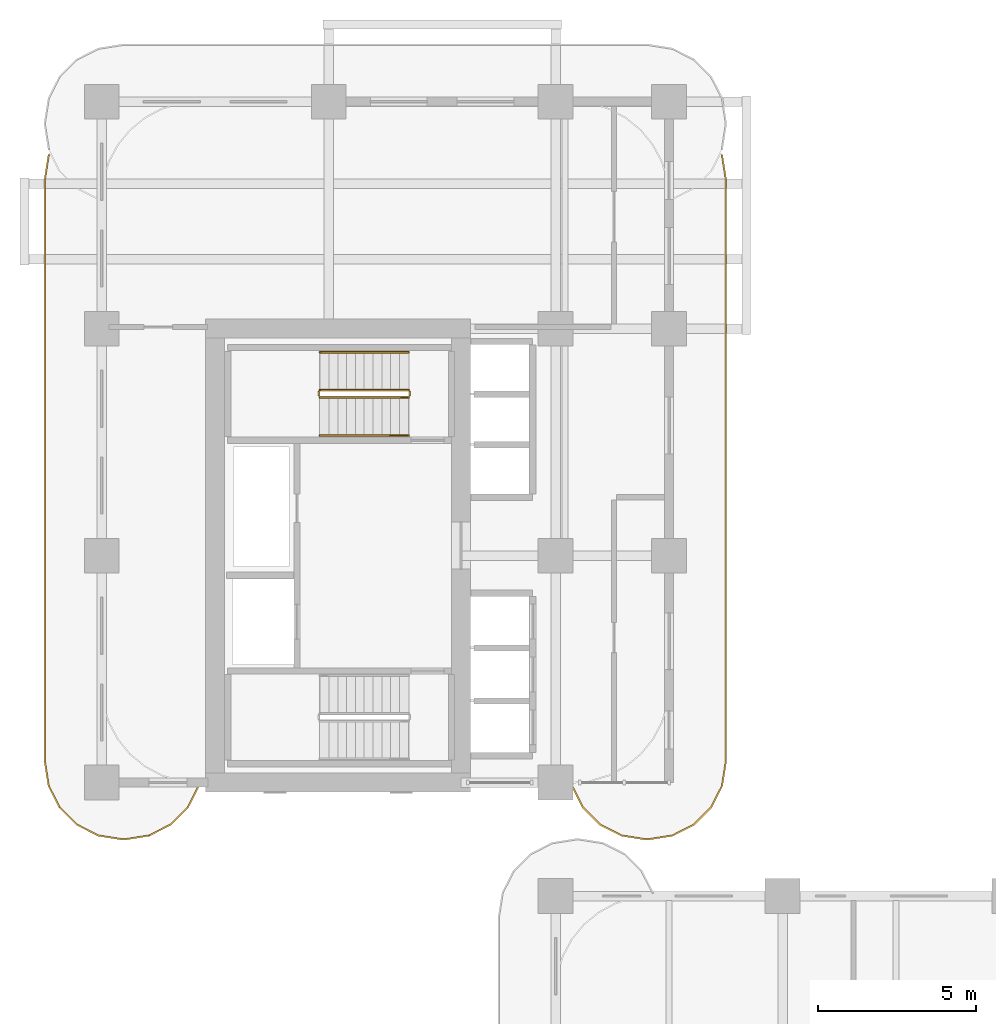
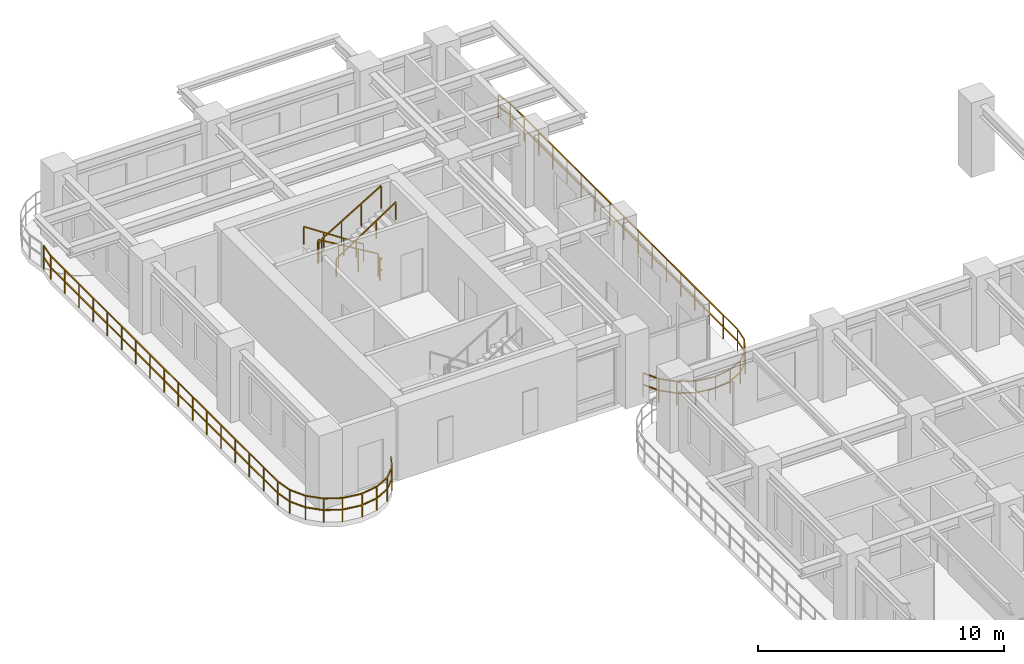
# One storey, part 17 of 18: 8 railings.
"""IFC4 building model written with IfcOpenShell, lengths in metres."""

import ifcopenshell
import ifcopenshell.guid

model = None  # the IFC model being written
_history = None  # IfcOwnerHistory: only IFC2X3 demands one
_inside = {}  # id of a spatial element -> (the spatial element, [elements in it])
_under = {}  # id of a project, library or spatial element -> (it, [spatial elements below it])
_declared = {}  # id of a project -> (the project, [libraries it declares])
_typed = {}  # id of a type object -> (the type object, [elements of that type])
_made_of = {}  # id of a material, layer set ... -> (it, [elements and type objects made of it])


def new_model(schema):
    """Start an empty IFC model of exactly this schema.

    Asked for "IFC4X3", IfcOpenShell would pick the latest addendum, in which some entities
    have other attributes; the version numbers below select the first issue.
    IFC2X3 requires an IfcOwnerHistory on every rooted entity: one is made here for all.
    """
    global model, _history
    if schema == "IFC4X3":
        model = ifcopenshell.file(schema_version=(4, 3, 0, 0))
    else:
        model = ifcopenshell.file(schema=schema)
    _inside.clear()
    _under.clear()
    _declared.clear()
    _typed.clear()
    _made_of.clear()
    _history = None
    if model.schema == "IFC2X3":
        org = make("IfcOrganization", Name="unknown")
        user = make(
            "IfcPersonAndOrganization",
            ThePerson=make("IfcPerson", FamilyName="unknown"),
            TheOrganization=org,
        )
        app = make(
            "IfcApplication",
            ApplicationDeveloper=org,
            Version="unknown",
            ApplicationFullName="unknown",
            ApplicationIdentifier="unknown",
        )
        _history = make(
            "IfcOwnerHistory",
            OwningUser=user,
            OwningApplication=app,
            ChangeAction="ADDED",
            CreationDate=0,
        )
    return model


def make(cls, **values):
    """One entity of the class cls with the attributes given. An attribute that is None is left unset."""
    return model.create_entity(
        cls, **{name: value for name, value in values.items() if value is not None}
    )


def rooted(cls, **values):
    """An entity with a GlobalId (a new one), such as an element, a storey or a relation."""
    return make(cls, GlobalId=ifcopenshell.guid.new(), OwnerHistory=_history, **values)


def si_unit(unit_type, name, prefix=None):
    """IfcSIUnit, for example si_unit("LENGTHUNIT", "METRE", prefix="MILLI")."""
    return make("IfcSIUnit", UnitType=unit_type, Prefix=prefix, Name=name)


def derived_unit(unit_type, elements):
    """IfcDerivedUnit: a product of units, each with its exponent."""
    return make(
        "IfcDerivedUnit",
        Elements=[
            make("IfcDerivedUnitElement", Unit=unit, Exponent=power)
            for unit, power in elements
        ],
        UnitType=unit_type,
    )


def assignment(units):
    """IfcUnitAssignment: the units of a project."""
    return None if units is None else make("IfcUnitAssignment", Units=units)


def point(xyz):
    """IfcCartesianPoint."""
    return None if xyz is None else make("IfcCartesianPoint", Coordinates=xyz)


def direction(xyz):
    """IfcDirection."""
    return None if xyz is None else make("IfcDirection", DirectionRatios=xyz)


def frame(location, z_axis=None, x_axis=None):
    """IfcAxis2Placement3D, a coordinate frame: its origin and axes. An axis left out is left unset."""
    return make(
        "IfcAxis2Placement3D",
        Location=point(location),
        Axis=direction(z_axis),
        RefDirection=direction(x_axis),
    )


def frame_2d(location, x_axis=None):
    """IfcAxis2Placement2D, a coordinate frame in the plane: its origin and x axis."""
    return make(
        "IfcAxis2Placement2D", Location=point(location), RefDirection=direction(x_axis)
    )


def origin():
    """The frame at (0, 0, 0) with its axes left unset."""
    return frame((0.0, 0.0, 0.0))


def origin_2d():
    """The frame at (0, 0) in the plane with its x axis left unset."""
    return frame_2d((0.0, 0.0))


def place(relative_to, where):
    """IfcLocalPlacement: puts the frame where relative to a parent placement (None: the world)."""
    return make(
        "IfcLocalPlacement", PlacementRelTo=relative_to, RelativePlacement=where
    )


def context(
    kind, dimensions, precision=None, world=None, true_north=None, identifier=None
):
    """IfcGeometricRepresentationContext, for example the 3D "Model" context."""
    return make(
        "IfcGeometricRepresentationContext",
        ContextIdentifier=identifier,
        ContextType=kind,
        CoordinateSpaceDimension=dimensions,
        Precision=precision,
        WorldCoordinateSystem=world,
        TrueNorth=true_north,
    )


def subcontext(parent, identifier, kind, view, scale=None):
    """IfcGeometricRepresentationSubContext, for example "Body" below "Model"."""
    return make(
        "IfcGeometricRepresentationSubContext",
        ContextIdentifier=identifier,
        ContextType=kind,
        ParentContext=parent,
        TargetScale=scale,
        TargetView=view,
    )


def project(units=None, contexts=None):
    """IfcProject with its units and contexts."""
    return rooted(
        "IfcProject",
        Name="project",
        RepresentationContexts=contexts,
        UnitsInContext=assignment(units),
    )


def spatial(cls, under=None, at=None, **own):
    """A site, building, storey or space (cls), placed at a placement, below another one or the project."""
    s = rooted(cls, ObjectPlacement=at, **own)
    if under is not None:
        _under.setdefault(under.id(), (under, []))[1].append(s)
    return s


def profile(cls, at=None, kind="AREA", **sizes):
    """A parametric profile (cls). Its sizes go by their IFC names, for example OverallWidth=200.0."""
    return make(cls, ProfileType=kind, Position=at, **sizes)


def rectangle(**sizes):
    """IfcRectangleProfileDef."""
    return profile("IfcRectangleProfileDef", **sizes)


def extrude(swept, where, along, depth):
    """IfcExtrudedAreaSolid: the profile swept, set in the frame where, extruded along a direction by depth."""
    return make(
        "IfcExtrudedAreaSolid",
        SweptArea=swept,
        Position=where,
        ExtrudedDirection=direction(along),
        Depth=depth,
    )


def shape(context_of_items, identifier, shape_type, items):
    """IfcShapeRepresentation: the items that make up one representation, for example the "Body"."""
    return make(
        "IfcShapeRepresentation",
        ContextOfItems=context_of_items,
        RepresentationIdentifier=identifier,
        RepresentationType=shape_type,
        Items=items,
    )


def material(Name=None, Category=None):
    """IfcMaterial."""
    return make("IfcMaterial", Name=Name, Category=Category)


def made_of(thing, what):
    """Note that an element or type object is made of a material, layer set ...; save() writes the relation."""
    if what is not None:
        _made_of.setdefault(what.id(), (what, []))[1].append(thing)
    return thing


def type_object(cls, material=None, **own):
    """A type object (cls), such as IfcWallType, which elements share."""
    return made_of(rooted(cls, **own), material)


def element(
    cls,
    number,
    at=None,
    inside=None,
    cuts=None,
    type_object=None,
    material=None,
    context=None,
    identifier="Body",
    shape_type=None,
    held_by="IfcProductDefinitionShape",
    body=None,
    shapes=None,
    **own,
):
    """One element of the class cls, such as IfcWall. Its Tag is "e" and its number.

    at: its placement. inside: the storey or other place that contains it. cuts: it is an
    opening in that element (IfcRelVoidsElement). A single representation is given by context,
    identifier, shape_type and body (its items); several are given by shapes. held_by: the class
    of the entity that holds the representations. save() writes the other relations.
    """
    e = rooted(cls, Tag="e%d" % number, ObjectPlacement=at, **own)
    if body is not None:
        shapes = [shape(context, identifier, shape_type, body)]
    if shapes is not None:
        e.Representation = make(held_by, Representations=shapes)
    if inside is not None:
        _inside.setdefault(inside.id(), (inside, []))[1].append(e)
    if cuts is not None:
        rooted(
            "IfcRelVoidsElement", RelatingBuildingElement=cuts, RelatedOpeningElement=e
        )
    if type_object is not None:
        _typed.setdefault(type_object.id(), (type_object, []))[1].append(e)
    return made_of(e, material)


def aggregate(whole, parts):
    """IfcRelAggregates: a whole, such as a stair, and the parts it consists of."""
    return rooted("IfcRelAggregates", RelatingObject=whole, RelatedObjects=parts)


def save(model, path):
    """Write the relations noted so far, then the file.

    IfcRelAggregates (storeys below a building ...), IfcRelContainedInSpatialStructure (elements
    in a storey), IfcRelDefinesByType, IfcRelAssociatesMaterial and IfcRelDeclares: one each for
    every whole, place, type object, material and project.
    """
    for whole, parts in _under.values():
        aggregate(whole, parts)
    for where, things in _inside.values():
        rooted(
            "IfcRelContainedInSpatialStructure",
            RelatedElements=things,
            RelatingStructure=where,
        )
    for kind, things in _typed.values():
        rooted("IfcRelDefinesByType", RelatedObjects=things, RelatingType=kind)
    for what, things in _made_of.values():
        rooted("IfcRelAssociatesMaterial", RelatedObjects=things, RelatingMaterial=what)
    for by, libraries in _declared.values():
        rooted("IfcRelDeclares", RelatingContext=by, RelatedDefinitions=libraries)
    model.write(path)


model = new_model("IFC4")

# Units and contexts
model_context = context("Model", 3, precision=1e-05, world=origin(), true_north=direction((0.0, 1.0)))
body_context = subcontext(model_context, "Body", "Model", "MODEL_VIEW")
ifc_project = project(units=[si_unit("LENGTHUNIT", "METRE"), si_unit("AREAUNIT", "SQUARE_METRE"), si_unit("VOLUMEUNIT", "CUBIC_METRE"), si_unit("PLANEANGLEUNIT", "RADIAN"), si_unit("MASSUNIT", "GRAM", prefix="KILO"), si_unit("THERMODYNAMICTEMPERATUREUNIT", "KELVIN"), si_unit("POWERUNIT", "WATT"), derived_unit("THERMALTRANSMITTANCEUNIT", [(si_unit("POWERUNIT", "WATT"), 1), (si_unit("AREAUNIT", "SQUARE_METRE"), -1), (si_unit("THERMODYNAMICTEMPERATUREUNIT", "KELVIN"), -1)])], contexts=[model_context])

# Site, building, storey
site_placement = place(None, origin())
site = spatial("IfcSite", under=ifc_project, at=site_placement, CompositionType="ELEMENT")
building_placement = place(site_placement, origin())
building = spatial("IfcBuilding", under=site, at=building_placement, Name="Zahravan Archway Hotel and Residences", CompositionType="ELEMENT")
storey_placement = place(building_placement, frame((0.0, 0.0, 58.300048828125)))
storey = spatial("IfcBuildingStorey", under=building, at=storey_placement, Name="L13", CompositionType="ELEMENT", Elevation=58.300048828125)

# Railings
ifc_material_1 = material(Name="Bronze & Laminated Glass Balustrade", Category="glass")
railing_type_1 = type_object("IfcRailingType", Name="RL-BAL-1200", PredefinedType="BALUSTRADE", material=ifc_material_1)
railing_1_placement = place(storey_placement, frame((3.080078125, 25.093017578125, 0.0)))
element("IfcRailing", 1, at=railing_1_placement, inside=storey, type_object=railing_type_1, Name="L13 Balustrade RL-SLB-BAL-L13-WB-1", PredefinedType="BALUSTRADE", context=body_context, shape_type="SweptSolid", body=[
    extrude(rectangle(XDim=0.048095703125, YDim=0.048095703125, at=origin_2d()), frame((0.0, 0.0, 1.17578125), z_axis=(-0.453825591531, -0.891090529897, 0.0), x_axis=(0.891090529897, -0.453825591531, 0.0)), (0.0, 0.0, 1.0), 0.7666015625),
    extrude(rectangle(XDim=0.048095703125, YDim=0.048095703125, at=origin_2d()), frame((0.0, 0.0, 0.60009765625), z_axis=(-0.453825591531, -0.891090529897, 0.0), x_axis=(0.891090529897, -0.453825591531, 0.0)), (0.0, 0.0, 1.0), 0.7666015625),
    extrude(rectangle(XDim=0.048095703125, YDim=0.048095703125, at=origin_2d()), frame((-0.347900390625, -0.68310546875, 1.17578125), z_axis=(-0.707106781187, -0.707106781187, 0.0), x_axis=(0.707106781187, -0.707106781187, 0.0)), (0.0, 0.0, 1.0), 0.7666015625),
    extrude(rectangle(XDim=0.048095703125, YDim=0.048095703125, at=origin_2d()), frame((-0.347900390625, -0.68310546875, 0.60009765625), z_axis=(-0.707106781187, -0.707106781187, 0.0), x_axis=(0.707106781187, -0.707106781187, 0.0)), (0.0, 0.0, 1.0), 0.7666015625),
    extrude(rectangle(XDim=0.048095703125, YDim=0.048095703125, at=origin_2d()), frame((-0.889892578125, -1.22509765625, 1.17578125), z_axis=(-0.891090529897, -0.453825591531, 0.0), x_axis=(0.453825591531, -0.891090529897, 0.0)), (0.0, 0.0, 1.0), 0.7666015625),
    extrude(rectangle(XDim=0.048095703125, YDim=0.048095703125, at=origin_2d()), frame((-0.889892578125, -1.22509765625, 0.60009765625), z_axis=(-0.891090529897, -0.453825591531, 0.0), x_axis=(0.453825591531, -0.891090529897, 0.0)), (0.0, 0.0, 1.0), 0.7666015625),
    extrude(rectangle(XDim=0.048095703125, YDim=0.048095703125, at=origin_2d()), frame((-1.572998046875, -1.572998046875, 1.17578125), z_axis=(-0.987646484274, -0.156698507018, 0.0), x_axis=(0.156698507018, -0.987646484274, 0.0)), (0.0, 0.0, 1.0), 0.7666015625),
    extrude(rectangle(XDim=0.048095703125, YDim=0.048095703125, at=origin_2d()), frame((-1.572998046875, -1.572998046875, 0.60009765625), z_axis=(-0.987646484274, -0.156698507018, 0.0), x_axis=(0.156698507018, -0.987646484274, 0.0)), (0.0, 0.0, 1.0), 0.7666015625),
    extrude(rectangle(XDim=0.048095703125, YDim=0.048095703125, at=origin_2d()), frame((-2.330078125, -1.693115234375, 1.17578125), z_axis=(-1.0, 0.0, 0.0), x_axis=(0.0, -1.0, 0.0)), (0.0, 0.0, 1.0), 0.10009765625),
    extrude(rectangle(XDim=0.048095703125, YDim=0.048095703125, at=origin_2d()), frame((-2.330078125, -1.693115234375, 0.60009765625), z_axis=(-1.0, 0.0, 0.0), x_axis=(0.0, -1.0, 0.0)), (0.0, 0.0, 1.0), 0.10009765625),
    extrude(rectangle(XDim=0.048095703125, YDim=0.048095703125, at=origin_2d()), frame((-2.43017578125, -1.693115234375, 1.17578125), z_axis=(-0.987646484274, 0.156698507018, 0.0), x_axis=(-0.156698507018, -0.987646484274, 0.0)), (0.0, 0.0, 1.0), 0.7666015625),
    extrude(rectangle(XDim=0.048095703125, YDim=0.048095703125, at=origin_2d()), frame((-2.43017578125, -1.693115234375, 0.60009765625), z_axis=(-0.987646484274, 0.156698507018, 0.0), x_axis=(-0.156698507018, -0.987646484274, 0.0)), (0.0, 0.0, 1.0), 0.7666015625),
    extrude(rectangle(XDim=0.048095703125, YDim=0.048095703125, at=origin_2d()), frame((-3.187255859375, -1.572998046875, 1.17578125), z_axis=(-0.891024909783, 0.453954414172, 0.0), x_axis=(-0.453954414172, -0.891024909783, 0.0)), (0.0, 0.0, 1.0), 0.766357421875),
    extrude(rectangle(XDim=0.048095703125, YDim=0.048095703125, at=origin_2d()), frame((-3.187255859375, -1.572998046875, 0.60009765625), z_axis=(-0.891024909783, 0.453954414172, 0.0), x_axis=(-0.453954414172, -0.891024909783, 0.0)), (0.0, 0.0, 1.0), 0.766357421875),
    extrude(rectangle(XDim=0.048095703125, YDim=0.048095703125, at=origin_2d()), frame((-3.8701171875, -1.22509765625, 1.17578125), z_axis=(-0.707106781187, 0.707106781187, 0.0), x_axis=(-0.707106781187, -0.707106781187, 0.0)), (0.0, 0.0, 1.0), 0.7666015625),
    extrude(rectangle(XDim=0.048095703125, YDim=0.048095703125, at=origin_2d()), frame((-3.8701171875, -1.22509765625, 0.60009765625), z_axis=(-0.707106781187, 0.707106781187, 0.0), x_axis=(-0.707106781187, -0.707106781187, 0.0)), (0.0, 0.0, 1.0), 0.7666015625),
    extrude(rectangle(XDim=0.048095703125, YDim=0.048095703125, at=origin_2d()), frame((-4.412109375, -0.68310546875, 1.17578125), z_axis=(-0.454078418624, 0.890961721815, 0.0), x_axis=(-0.890961721815, -0.454078418624, 0.0)), (0.0, 0.0, 1.0), 0.7666015625),
    extrude(rectangle(XDim=0.048095703125, YDim=0.048095703125, at=origin_2d()), frame((-4.412109375, -0.68310546875, 0.60009765625), z_axis=(-0.454078418624, 0.890961721815, 0.0), x_axis=(-0.890961721815, -0.454078418624, 0.0)), (0.0, 0.0, 1.0), 0.7666015625),
    extrude(rectangle(XDim=0.048095703125, YDim=0.048095703125, at=origin_2d()), frame((-4.76025390625, 0.0, 1.17578125), z_axis=(-0.156387811283, 0.987695728695, 0.0), x_axis=(-0.987695728695, -0.156387811283, 0.0)), (0.0, 0.0, 1.0), 0.7666015625),
    extrude(rectangle(XDim=0.048095703125, YDim=0.048095703125, at=origin_2d()), frame((-4.76025390625, 0.0, 0.60009765625), z_axis=(-0.156387811283, 0.987695728695, 0.0), x_axis=(-0.987695728695, -0.156387811283, 0.0)), (0.0, 0.0, 1.0), 0.7666015625),
    extrude(rectangle(XDim=0.048095703125, YDim=0.048095703125, at=origin_2d()), frame((-4.880126953125, 0.757080078125, 1.17578125), z_axis=(0.0, 1.0, 0.0), x_axis=(-1.0, 0.0, 0.0)), (0.0, 0.0, 1.0), 18.5),
    extrude(rectangle(XDim=0.048095703125, YDim=0.048095703125, at=origin_2d()), frame((-4.880126953125, 0.757080078125, 0.60009765625), z_axis=(0.0, 1.0, 0.0), x_axis=(-1.0, 0.0, 0.0)), (0.0, 0.0, 1.0), 18.5),
    extrude(rectangle(XDim=0.048095703125, YDim=0.048095703125, at=origin_2d()), frame((-4.880126953125, 19.257080078125, 1.17578125), z_axis=(0.156387811283, 0.987695728695, 0.0), x_axis=(-0.987695728695, 0.156387811283, 0.0)), (0.0, 0.0, 1.0), 0.7666015625),
    extrude(rectangle(XDim=0.048095703125, YDim=0.048095703125, at=origin_2d()), frame((-4.880126953125, 19.257080078125, 0.60009765625), z_axis=(0.156387811283, 0.987695728695, 0.0), x_axis=(-0.987695728695, 0.156387811283, 0.0)), (0.0, 0.0, 1.0), 0.7666015625),
    extrude(rectangle(XDim=0.0419921875, YDim=0.0419921875, at=origin_2d()), origin(), (0.0, 0.0, 1.0), 1.15185546875),
    extrude(rectangle(XDim=0.0419921875, YDim=0.0419921875, at=origin_2d()), frame((-0.347900390625, -0.68310546875, 0.0)), (0.0, 0.0, 1.0), 1.15185546875),
    extrude(rectangle(XDim=0.0419921875, YDim=0.0419921875, at=origin_2d()), frame((-0.889892578125, -1.22509765625, 0.0)), (0.0, 0.0, 1.0), 1.15185546875),
    extrude(rectangle(XDim=0.0419921875, YDim=0.0419921875, at=origin_2d()), frame((-1.572998046875, -1.572998046875, 0.0)), (0.0, 0.0, 1.0), 1.15185546875),
    extrude(rectangle(XDim=0.0419921875, YDim=0.0419921875, at=origin_2d()), frame((-2.330078125, -1.693115234375, 0.0)), (0.0, 0.0, 1.0), 1.15185546875),
    extrude(rectangle(XDim=0.0419921875, YDim=0.0419921875, at=origin_2d()), frame((-3.187255859375, -1.572998046875, 0.0)), (0.0, 0.0, 1.0), 1.15185546875),
    extrude(rectangle(XDim=0.0419921875, YDim=0.0419921875, at=origin_2d()), frame((-3.8701171875, -1.22509765625, 0.0)), (0.0, 0.0, 1.0), 1.15185546875),
    extrude(rectangle(XDim=0.0419921875, YDim=0.0419921875, at=origin_2d()), frame((-4.412109375, -0.68310546875, 0.0)), (0.0, 0.0, 1.0), 1.15185546875),
    extrude(rectangle(XDim=0.0419921875, YDim=0.0419921875, at=origin_2d()), frame((-4.76025390625, 0.0, 0.0)), (0.0, 0.0, 1.0), 1.15185546875),
    extrude(rectangle(XDim=0.0419921875, YDim=0.0419921875, at=origin_2d()), frame((-4.880126953125, 0.757080078125, 0.0)), (0.0, 0.0, 1.0), 1.15185546875),
    extrude(rectangle(XDim=0.0419921875, YDim=0.0419921875, at=origin_2d()), frame((-4.880126953125, 1.913330078125, 0.0)), (0.0, 0.0, 1.0), 1.15185546875),
    extrude(rectangle(XDim=0.0419921875, YDim=0.0419921875, at=origin_2d()), frame((-4.880126953125, 3.069580078125, 0.0)), (0.0, 0.0, 1.0), 1.15185546875),
    extrude(rectangle(XDim=0.0419921875, YDim=0.0419921875, at=origin_2d()), frame((-4.880126953125, 4.225830078125, 0.0)), (0.0, 0.0, 1.0), 1.15185546875),
    extrude(rectangle(XDim=0.0419921875, YDim=0.0419921875, at=origin_2d()), frame((-4.880126953125, 5.382080078125, 0.0)), (0.0, 0.0, 1.0), 1.15185546875),
    extrude(rectangle(XDim=0.0419921875, YDim=0.0419921875, at=origin_2d()), frame((-4.880126953125, 6.538330078125, 0.0)), (0.0, 0.0, 1.0), 1.15185546875),
    extrude(rectangle(XDim=0.0419921875, YDim=0.0419921875, at=origin_2d()), frame((-4.880126953125, 7.694580078125, 0.0)), (0.0, 0.0, 1.0), 1.15185546875),
    extrude(rectangle(XDim=0.0419921875, YDim=0.0419921875, at=origin_2d()), frame((-4.880126953125, 8.850830078125, 0.0)), (0.0, 0.0, 1.0), 1.15185546875),
    extrude(rectangle(XDim=0.0419921875, YDim=0.0419921875, at=origin_2d()), frame((-4.880126953125, 10.007080078125, 0.0)), (0.0, 0.0, 1.0), 1.15185546875),
    extrude(rectangle(XDim=0.0419921875, YDim=0.0419921875, at=origin_2d()), frame((-4.880126953125, 11.163330078125, 0.0)), (0.0, 0.0, 1.0), 1.15185546875),
    extrude(rectangle(XDim=0.0419921875, YDim=0.0419921875, at=origin_2d()), frame((-4.880126953125, 12.319580078125, 0.0)), (0.0, 0.0, 1.0), 1.15185546875),
    extrude(rectangle(XDim=0.0419921875, YDim=0.0419921875, at=origin_2d()), frame((-4.880126953125, 13.475830078125, 0.0)), (0.0, 0.0, 1.0), 1.15185546875),
    extrude(rectangle(XDim=0.0419921875, YDim=0.0419921875, at=origin_2d()), frame((-4.880126953125, 14.632080078125, 0.0)), (0.0, 0.0, 1.0), 1.15185546875),
    extrude(rectangle(XDim=0.0419921875, YDim=0.0419921875, at=origin_2d()), frame((-4.880126953125, 15.788330078125, 0.0)), (0.0, 0.0, 1.0), 1.15185546875),
    extrude(rectangle(XDim=0.0419921875, YDim=0.0419921875, at=origin_2d()), frame((-4.880126953125, 16.944580078125, 0.0)), (0.0, 0.0, 1.0), 1.15185546875),
    extrude(rectangle(XDim=0.0419921875, YDim=0.0419921875, at=origin_2d()), frame((-4.880126953125, 18.100830078125, 0.0)), (0.0, 0.0, 1.0), 1.15185546875),
    extrude(rectangle(XDim=0.0419921875, YDim=0.0419921875, at=origin_2d()), frame((-4.880126953125, 19.257080078125, 0.0)), (0.0, 0.0, 1.0), 1.15185546875),
    extrude(rectangle(XDim=0.0419921875, YDim=0.0419921875, at=origin_2d()), frame((-4.76025390625, 20.01416015625, 0.0)), (0.0, 0.0, 1.0), 1.15185546875),
])
railing_2_placement = place(storey_placement, frame((19.68017578125, 45.107177734375, 0.0)))
element("IfcRailing", 2, at=railing_2_placement, inside=storey, type_object=railing_type_1, Name="L13 Balustrade RL-SLB-BAL-L13-EB-1", PredefinedType="BALUSTRADE", context=body_context, shape_type="SweptSolid", body=[
    extrude(rectangle(XDim=0.048095703125, YDim=0.048095703125, at=origin_2d()), frame((0.0, 0.0, 1.17578125), z_axis=(0.156387811283, -0.987695728695, 0.0), x_axis=(0.987695728695, 0.156387811283, 0.0)), (0.0, 0.0, 1.0), 0.7666015625),
    extrude(rectangle(XDim=0.048095703125, YDim=0.048095703125, at=origin_2d()), frame((0.0, 0.0, 0.60009765625), z_axis=(0.156387811283, -0.987695728695, 0.0), x_axis=(0.987695728695, 0.156387811283, 0.0)), (0.0, 0.0, 1.0), 0.7666015625),
    extrude(rectangle(XDim=0.048095703125, YDim=0.048095703125, at=origin_2d()), frame((0.119873046875, -0.757080078125, 1.17578125), z_axis=(0.0, -1.0, 0.0), x_axis=(1.0, 0.0, 0.0)), (0.0, 0.0, 1.0), 18.5),
    extrude(rectangle(XDim=0.048095703125, YDim=0.048095703125, at=origin_2d()), frame((0.119873046875, -0.757080078125, 0.60009765625), z_axis=(0.0, -1.0, 0.0), x_axis=(1.0, 0.0, 0.0)), (0.0, 0.0, 1.0), 18.5),
    extrude(rectangle(XDim=0.048095703125, YDim=0.048095703125, at=origin_2d()), frame((0.119873046875, -19.257080078125, 1.17578125), z_axis=(-0.156387811283, -0.987695728695, 0.0), x_axis=(0.987695728695, -0.156387811283, 0.0)), (0.0, 0.0, 1.0), 0.7666015625),
    extrude(rectangle(XDim=0.048095703125, YDim=0.048095703125, at=origin_2d()), frame((0.119873046875, -19.257080078125, 0.60009765625), z_axis=(-0.156387811283, -0.987695728695, 0.0), x_axis=(0.987695728695, -0.156387811283, 0.0)), (0.0, 0.0, 1.0), 0.7666015625),
    extrude(rectangle(XDim=0.048095703125, YDim=0.048095703125, at=origin_2d()), frame((0.0, -20.01416015625, 1.17578125), z_axis=(-0.454078418624, -0.890961721815, 0.0), x_axis=(0.890961721815, -0.454078418624, 0.0)), (0.0, 0.0, 1.0), 0.7666015625),
    extrude(rectangle(XDim=0.048095703125, YDim=0.048095703125, at=origin_2d()), frame((0.0, -20.01416015625, 0.60009765625), z_axis=(-0.454078418624, -0.890961721815, 0.0), x_axis=(0.890961721815, -0.454078418624, 0.0)), (0.0, 0.0, 1.0), 0.7666015625),
    extrude(rectangle(XDim=0.048095703125, YDim=0.048095703125, at=origin_2d()), frame((-0.34814453125, -20.697265625, 1.17578125), z_axis=(-0.707106781187, -0.707106781187, 0.0), x_axis=(0.707106781187, -0.707106781187, 0.0)), (0.0, 0.0, 1.0), 0.7666015625),
    extrude(rectangle(XDim=0.048095703125, YDim=0.048095703125, at=origin_2d()), frame((-0.34814453125, -20.697265625, 0.60009765625), z_axis=(-0.707106781187, -0.707106781187, 0.0), x_axis=(0.707106781187, -0.707106781187, 0.0)), (0.0, 0.0, 1.0), 0.7666015625),
    extrude(rectangle(XDim=0.048095703125, YDim=0.048095703125, at=origin_2d()), frame((-0.89013671875, -21.2392578125, 1.17578125), z_axis=(-0.891024909783, -0.453954414172, 0.0), x_axis=(0.453954414172, -0.891024909783, 0.0)), (0.0, 0.0, 1.0), 0.766357421875),
    extrude(rectangle(XDim=0.048095703125, YDim=0.048095703125, at=origin_2d()), frame((-0.89013671875, -21.2392578125, 0.60009765625), z_axis=(-0.891024909783, -0.453954414172, 0.0), x_axis=(0.453954414172, -0.891024909783, 0.0)), (0.0, 0.0, 1.0), 0.766357421875),
    extrude(rectangle(XDim=0.048095703125, YDim=0.048095703125, at=origin_2d()), frame((-1.572998046875, -21.587158203125, 1.17578125), z_axis=(-0.987646484274, -0.156698507018, 0.0), x_axis=(0.156698507018, -0.987646484274, 0.0)), (0.0, 0.0, 1.0), 0.7666015625),
    extrude(rectangle(XDim=0.048095703125, YDim=0.048095703125, at=origin_2d()), frame((-1.572998046875, -21.587158203125, 0.60009765625), z_axis=(-0.987646484274, -0.156698507018, 0.0), x_axis=(0.156698507018, -0.987646484274, 0.0)), (0.0, 0.0, 1.0), 0.7666015625),
    extrude(rectangle(XDim=0.048095703125, YDim=0.048095703125, at=origin_2d()), frame((-2.330078125, -21.707275390625, 1.17578125), z_axis=(-1.0, 0.0, 0.0), x_axis=(0.0, -1.0, 0.0)), (0.0, 0.0, 1.0), 0.10009765625),
    extrude(rectangle(XDim=0.048095703125, YDim=0.048095703125, at=origin_2d()), frame((-2.330078125, -21.707275390625, 0.60009765625), z_axis=(-1.0, 0.0, 0.0), x_axis=(0.0, -1.0, 0.0)), (0.0, 0.0, 1.0), 0.10009765625),
    extrude(rectangle(XDim=0.048095703125, YDim=0.048095703125, at=origin_2d()), frame((-2.43017578125, -21.707275390625, 1.17578125), z_axis=(-0.987646484274, 0.156698507018, 0.0), x_axis=(-0.156698507018, -0.987646484274, 0.0)), (0.0, 0.0, 1.0), 0.7666015625),
    extrude(rectangle(XDim=0.048095703125, YDim=0.048095703125, at=origin_2d()), frame((-2.43017578125, -21.707275390625, 0.60009765625), z_axis=(-0.987646484274, 0.156698507018, 0.0), x_axis=(-0.156698507018, -0.987646484274, 0.0)), (0.0, 0.0, 1.0), 0.7666015625),
    extrude(rectangle(XDim=0.048095703125, YDim=0.048095703125, at=origin_2d()), frame((-3.187255859375, -21.587158203125, 1.17578125), z_axis=(-0.891090529897, 0.453825591531, 0.0), x_axis=(-0.453825591531, -0.891090529897, 0.0)), (0.0, 0.0, 1.0), 0.7666015625),
    extrude(rectangle(XDim=0.048095703125, YDim=0.048095703125, at=origin_2d()), frame((-3.187255859375, -21.587158203125, 0.60009765625), z_axis=(-0.891090529897, 0.453825591531, 0.0), x_axis=(-0.453825591531, -0.891090529897, 0.0)), (0.0, 0.0, 1.0), 0.7666015625),
    extrude(rectangle(XDim=0.048095703125, YDim=0.048095703125, at=origin_2d()), frame((-3.870361328125, -21.2392578125, 1.17578125), z_axis=(-0.707106781187, 0.707106781187, 0.0), x_axis=(-0.707106781187, -0.707106781187, 0.0)), (0.0, 0.0, 1.0), 0.7666015625),
    extrude(rectangle(XDim=0.048095703125, YDim=0.048095703125, at=origin_2d()), frame((-3.870361328125, -21.2392578125, 0.60009765625), z_axis=(-0.707106781187, 0.707106781187, 0.0), x_axis=(-0.707106781187, -0.707106781187, 0.0)), (0.0, 0.0, 1.0), 0.7666015625),
    extrude(rectangle(XDim=0.048095703125, YDim=0.048095703125, at=origin_2d()), frame((-4.412353515625, -20.697265625, 1.17578125), z_axis=(-0.453825591531, 0.891090529897, 0.0), x_axis=(-0.891090529897, -0.453825591531, 0.0)), (0.0, 0.0, 1.0), 0.7666015625),
    extrude(rectangle(XDim=0.048095703125, YDim=0.048095703125, at=origin_2d()), frame((-4.412353515625, -20.697265625, 0.60009765625), z_axis=(-0.453825591531, 0.891090529897, 0.0), x_axis=(-0.891090529897, -0.453825591531, 0.0)), (0.0, 0.0, 1.0), 0.7666015625),
    extrude(rectangle(XDim=0.0419921875, YDim=0.0419921875, at=origin_2d()), origin(), (0.0, 0.0, 1.0), 1.15185546875),
    extrude(rectangle(XDim=0.0419921875, YDim=0.0419921875, at=origin_2d()), frame((0.119873046875, -0.757080078125, 0.0)), (0.0, 0.0, 1.0), 1.15185546875),
    extrude(rectangle(XDim=0.0419921875, YDim=0.0419921875, at=origin_2d()), frame((0.119873046875, -1.913330078125, 0.0)), (0.0, 0.0, 1.0), 1.15185546875),
    extrude(rectangle(XDim=0.0419921875, YDim=0.0419921875, at=origin_2d()), frame((0.119873046875, -3.069580078125, 0.0)), (0.0, 0.0, 1.0), 1.15185546875),
    extrude(rectangle(XDim=0.0419921875, YDim=0.0419921875, at=origin_2d()), frame((0.119873046875, -4.225830078125, 0.0)), (0.0, 0.0, 1.0), 1.15185546875),
    extrude(rectangle(XDim=0.0419921875, YDim=0.0419921875, at=origin_2d()), frame((0.119873046875, -5.382080078125, 0.0)), (0.0, 0.0, 1.0), 1.15185546875),
    extrude(rectangle(XDim=0.0419921875, YDim=0.0419921875, at=origin_2d()), frame((0.119873046875, -6.538330078125, 0.0)), (0.0, 0.0, 1.0), 1.15185546875),
    extrude(rectangle(XDim=0.0419921875, YDim=0.0419921875, at=origin_2d()), frame((0.119873046875, -7.694580078125, 0.0)), (0.0, 0.0, 1.0), 1.15185546875),
    extrude(rectangle(XDim=0.0419921875, YDim=0.0419921875, at=origin_2d()), frame((0.119873046875, -8.850830078125, 0.0)), (0.0, 0.0, 1.0), 1.15185546875),
    extrude(rectangle(XDim=0.0419921875, YDim=0.0419921875, at=origin_2d()), frame((0.119873046875, -10.007080078125, 0.0)), (0.0, 0.0, 1.0), 1.15185546875),
    extrude(rectangle(XDim=0.0419921875, YDim=0.0419921875, at=origin_2d()), frame((0.119873046875, -11.163330078125, 0.0)), (0.0, 0.0, 1.0), 1.15185546875),
    extrude(rectangle(XDim=0.0419921875, YDim=0.0419921875, at=origin_2d()), frame((0.119873046875, -12.319580078125, 0.0)), (0.0, 0.0, 1.0), 1.15185546875),
    extrude(rectangle(XDim=0.0419921875, YDim=0.0419921875, at=origin_2d()), frame((0.119873046875, -13.475830078125, 0.0)), (0.0, 0.0, 1.0), 1.15185546875),
    extrude(rectangle(XDim=0.0419921875, YDim=0.0419921875, at=origin_2d()), frame((0.119873046875, -14.632080078125, 0.0)), (0.0, 0.0, 1.0), 1.15185546875),
    extrude(rectangle(XDim=0.0419921875, YDim=0.0419921875, at=origin_2d()), frame((0.119873046875, -15.788330078125, 0.0)), (0.0, 0.0, 1.0), 1.15185546875),
    extrude(rectangle(XDim=0.0419921875, YDim=0.0419921875, at=origin_2d()), frame((0.119873046875, -16.944580078125, 0.0)), (0.0, 0.0, 1.0), 1.15185546875),
    extrude(rectangle(XDim=0.0419921875, YDim=0.0419921875, at=origin_2d()), frame((0.119873046875, -18.100830078125, 0.0)), (0.0, 0.0, 1.0), 1.15185546875),
    extrude(rectangle(XDim=0.0419921875, YDim=0.0419921875, at=origin_2d()), frame((0.119873046875, -19.257080078125, 0.0)), (0.0, 0.0, 1.0), 1.15185546875),
    extrude(rectangle(XDim=0.0419921875, YDim=0.0419921875, at=origin_2d()), frame((0.0, -20.01416015625, 0.0)), (0.0, 0.0, 1.0), 1.15185546875),
    extrude(rectangle(XDim=0.0419921875, YDim=0.0419921875, at=origin_2d()), frame((-0.34814453125, -20.697265625, 0.0)), (0.0, 0.0, 1.0), 1.15185546875),
    extrude(rectangle(XDim=0.0419921875, YDim=0.0419921875, at=origin_2d()), frame((-0.89013671875, -21.2392578125, 0.0)), (0.0, 0.0, 1.0), 1.15185546875),
    extrude(rectangle(XDim=0.0419921875, YDim=0.0419921875, at=origin_2d()), frame((-1.572998046875, -21.587158203125, 0.0)), (0.0, 0.0, 1.0), 1.15185546875),
    extrude(rectangle(XDim=0.0419921875, YDim=0.0419921875, at=origin_2d()), frame((-2.330078125, -21.707275390625, 0.0)), (0.0, 0.0, 1.0), 1.15185546875),
    extrude(rectangle(XDim=0.0419921875, YDim=0.0419921875, at=origin_2d()), frame((-3.187255859375, -21.587158203125, 0.0)), (0.0, 0.0, 1.0), 1.15185546875),
    extrude(rectangle(XDim=0.0419921875, YDim=0.0419921875, at=origin_2d()), frame((-3.870361328125, -21.2392578125, 0.0)), (0.0, 0.0, 1.0), 1.15185546875),
    extrude(rectangle(XDim=0.0419921875, YDim=0.0419921875, at=origin_2d()), frame((-4.412353515625, -20.697265625, 0.0)), (0.0, 0.0, 1.0), 1.15185546875),
    extrude(rectangle(XDim=0.0419921875, YDim=0.0419921875, at=origin_2d()), frame((-4.76025390625, -20.01416015625, 0.0)), (0.0, 0.0, 1.0), 1.15185546875),
])
ifc_material_2 = material(Name="Painted Tubular Steel", Category="steel")
railing_type_2 = type_object("IfcRailingType", Name="RL-STG-1150", PredefinedType="GUARDRAIL", material=ifc_material_2)
railing_3_placement = place(storey_placement, frame((9.72998046875, 37.64990234375, 0.168212890625)))
element("IfcRailing", 3, at=railing_3_placement, inside=storey, type_object=railing_type_2, Name="L13 ST-B2 stair guard 1", PredefinedType="GUARDRAIL", context=body_context, shape_type="SweptSolid", body=[
    extrude(rectangle(XDim=0.048095703125, YDim=0.048095703125, at=origin_2d()), frame((0.0, 0.0, 1.1259765625), z_axis=(-0.857275202839, 0.0, 0.514858452973), x_axis=(0.0, -1.0, 0.0)), (0.0, 0.0, 1.0), 3.26611328125),
    extrude(rectangle(XDim=0.0419921875, YDim=0.0419921875, at=origin_2d()), origin(), (0.0, 0.0, 1.0), 1.101806640625),
    extrude(rectangle(XDim=0.0419921875, YDim=0.0419921875, at=origin_2d()), frame((-0.933349609375, 0.0, 0.560546875)), (0.0, 0.0, 1.0), 1.101806640625),
    extrude(rectangle(XDim=0.0419921875, YDim=0.0419921875, at=origin_2d()), frame((-1.86669921875, 0.0, 1.12109375)), (0.0, 0.0, 1.0), 1.101806640625),
    extrude(rectangle(XDim=0.0419921875, YDim=0.0419921875, at=origin_2d()), frame((-2.800048828125, 0.0, 1.681640625)), (0.0, 0.0, 1.0), 1.101806640625),
])
railing_4_placement = place(storey_placement, frame((6.8798828125, 37.60009765625, 1.849853515625)))
element("IfcRailing", 4, at=railing_4_placement, inside=storey, type_object=railing_type_2, Name="L13 ST-B2 stair guard 2", PredefinedType="GUARDRAIL", context=body_context, shape_type="SweptSolid", body=[
    extrude(rectangle(XDim=0.048095703125, YDim=0.048095703125, at=origin_2d()), frame((0.0, 0.0, 1.1259765625), z_axis=(0.0, -1.0, 0.0), x_axis=(1.0, 0.0, 0.0)), (0.0, 0.0, 1.0), 0.14013671875),
    extrude(rectangle(XDim=0.048095703125, YDim=0.048095703125, at=origin_2d()), frame((0.0, 0.0, 0.574951171875), z_axis=(0.0, -1.0, 0.0), x_axis=(1.0, 0.0, 0.0)), (0.0, 0.0, 1.0), 0.14013671875),
    extrude(rectangle(XDim=0.0419921875, YDim=0.0419921875, at=origin_2d()), origin(), (0.0, 0.0, 1.0), 1.101806640625),
])
railing_5_placement = place(storey_placement, frame((6.929931640625, 37.409912109375, 2.01806640625)))
element("IfcRailing", 5, at=railing_5_placement, inside=storey, type_object=railing_type_2, Name="L13 ST-B2 stair guard 3", PredefinedType="GUARDRAIL", context=body_context, shape_type="SweptSolid", body=[
    extrude(rectangle(XDim=0.048095703125, YDim=0.048095703125, at=origin_2d()), frame((0.0, 0.0, 1.1259765625), z_axis=(0.857242210791, 0.0, 0.514913383045), x_axis=(0.0, 1.0, 0.0)), (0.0, 0.0, 1.0), 3.266357421875),
    extrude(rectangle(XDim=0.0419921875, YDim=0.0419921875, at=origin_2d()), origin(), (0.0, 0.0, 1.0), 1.101806640625),
    extrude(rectangle(XDim=0.0419921875, YDim=0.0419921875, at=origin_2d()), frame((0.933349609375, 0.0, 0.560546875)), (0.0, 0.0, 1.0), 1.101806640625),
    extrude(rectangle(XDim=0.0419921875, YDim=0.0419921875, at=origin_2d()), frame((1.86669921875, 0.0, 1.121337890625)), (0.0, 0.0, 1.0), 1.101806640625),
    extrude(rectangle(XDim=0.0419921875, YDim=0.0419921875, at=origin_2d()), frame((2.800048828125, 0.0, 1.681884765625)), (0.0, 0.0, 1.0), 1.101806640625),
])
railing_6_placement = place(storey_placement, frame((9.780029296875, 37.60009765625, 0.0)))
element("IfcRailing", 6, at=railing_6_placement, inside=storey, type_object=railing_type_2, Name="L13 ST-B2 stair guard 4", PredefinedType="GUARDRAIL", context=body_context, shape_type="SweptSolid", body=[
    extrude(rectangle(XDim=0.048095703125, YDim=0.048095703125, at=origin_2d()), frame((0.0, 0.0, 1.1259765625), z_axis=(0.0, -1.0, 0.0), x_axis=(1.0, 0.0, 0.0)), (0.0, 0.0, 1.0), 0.14013671875),
    extrude(rectangle(XDim=0.048095703125, YDim=0.048095703125, at=origin_2d()), frame((0.0, 0.0, 0.574951171875), z_axis=(0.0, -1.0, 0.0), x_axis=(1.0, 0.0, 0.0)), (0.0, 0.0, 1.0), 0.14013671875),
    extrude(rectangle(XDim=0.0419921875, YDim=0.0419921875, at=origin_2d()), origin(), (0.0, 0.0, 1.0), 1.101806640625),
])
ifc_material_3 = material(Name="Brushed Stainless Steel", Category="steel")
railing_type_3 = type_object("IfcRailingType", Name="RL-STH-900", PredefinedType="HANDRAIL", material=ifc_material_3)
railing_7_placement = place(storey_placement, frame((9.72998046875, 38.85009765625, 0.168212890625)))
element("IfcRailing", 7, at=railing_7_placement, inside=storey, type_object=railing_type_3, Name="L13 ST-B2 stair handrail 1", PredefinedType="HANDRAIL", context=body_context, shape_type="SweptSolid", body=[
    extrude(rectangle(XDim=0.048095703125, YDim=0.048095703125, at=origin_2d()), frame((0.0, 0.0, 0.8759765625), z_axis=(-0.83435981716, 0.0, 0.551220187865), x_axis=(0.0, -1.0, 0.0)), (0.0, 0.0, 1.0), 3.35595703125),
    extrude(rectangle(XDim=0.0419921875, YDim=0.0419921875, at=origin_2d()), origin(), (0.0, 0.0, 1.0), 0.851806640625),
    extrude(rectangle(XDim=0.0419921875, YDim=0.0419921875, at=origin_2d()), frame((-0.933349609375, 0.0, 0.61669921875)), (0.0, 0.0, 1.0), 0.851806640625),
    extrude(rectangle(XDim=0.0419921875, YDim=0.0419921875, at=origin_2d()), frame((-1.86669921875, 0.0, 1.233154296875)), (0.0, 0.0, 1.0), 0.851806640625),
    extrude(rectangle(XDim=0.0419921875, YDim=0.0419921875, at=origin_2d()), frame((-2.800048828125, 0.0, 1.849853515625)), (0.0, 0.0, 1.0), 0.851806640625),
])
railing_8_placement = place(storey_placement, frame((6.929931640625, 36.2099609375, 2.01806640625)))
element("IfcRailing", 8, at=railing_8_placement, inside=storey, type_object=railing_type_3, Name="L13 ST-B2 stair handrail 2", PredefinedType="HANDRAIL", context=body_context, shape_type="SweptSolid", body=[
    extrude(rectangle(XDim=0.048095703125, YDim=0.048095703125, at=origin_2d()), frame((0.0, 0.0, 0.8759765625), z_axis=(0.834326358476, 0.0, 0.551270829586), x_axis=(0.0, 1.0, 0.0)), (0.0, 0.0, 1.0), 3.35595703125),
    extrude(rectangle(XDim=0.0419921875, YDim=0.0419921875, at=origin_2d()), origin(), (0.0, 0.0, 1.0), 0.851806640625),
    extrude(rectangle(XDim=0.0419921875, YDim=0.0419921875, at=origin_2d()), frame((0.933349609375, 0.0, 0.61669921875)), (0.0, 0.0, 1.0), 0.851806640625),
    extrude(rectangle(XDim=0.0419921875, YDim=0.0419921875, at=origin_2d()), frame((1.86669921875, 0.0, 1.2333984375)), (0.0, 0.0, 1.0), 0.851806640625),
    extrude(rectangle(XDim=0.0419921875, YDim=0.0419921875, at=origin_2d()), frame((2.800048828125, 0.0, 1.85009765625)), (0.0, 0.0, 1.0), 0.851806640625),
])

save(model, "model.ifc")
